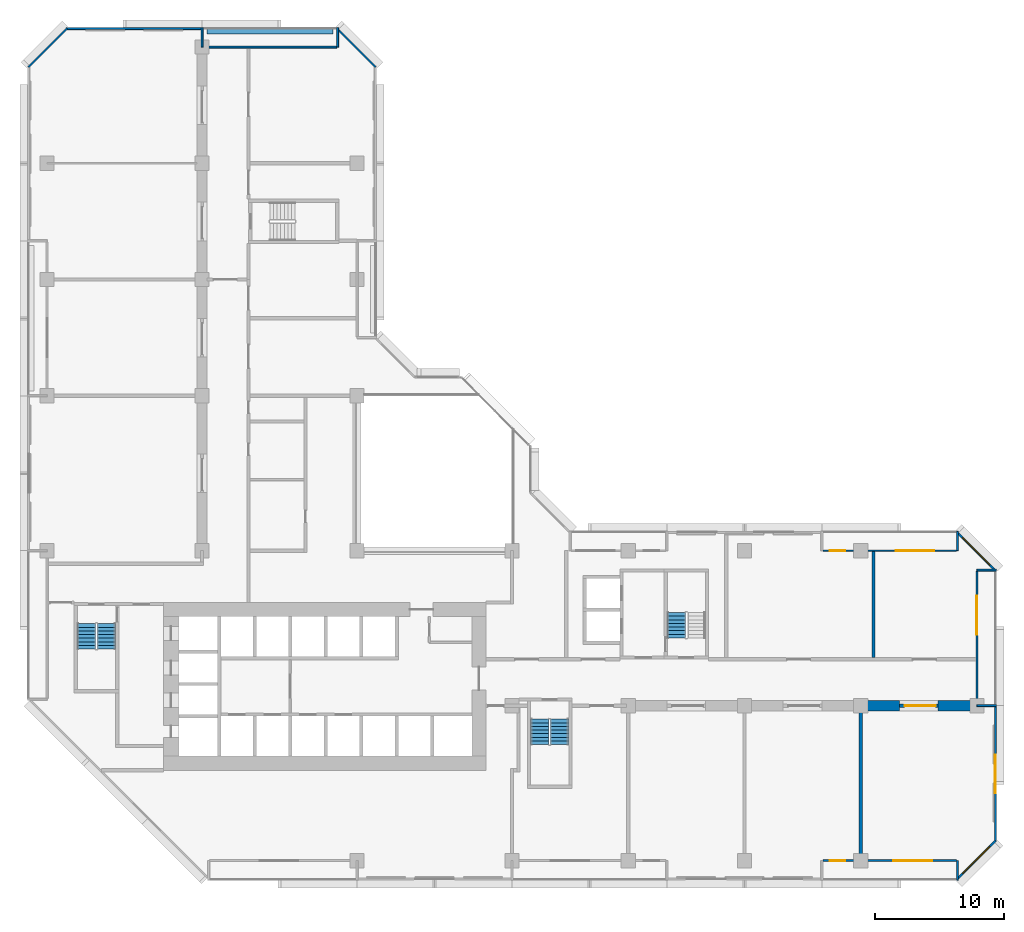
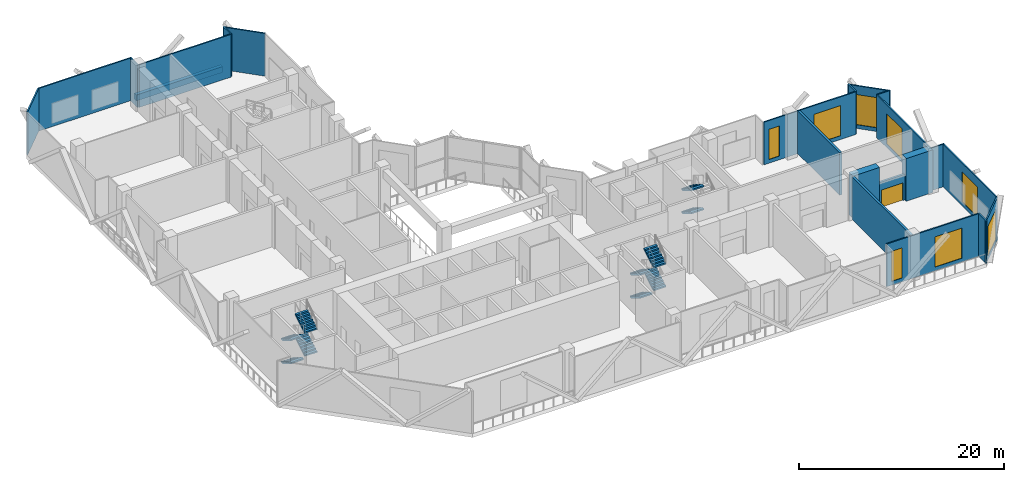
# One storey, part 10 of 14: 22 walls, 10 stair flights, 8 windows, 1 door, 9 openings, 3 elements without a shape of their own.
"""IFC4 building model written with IfcOpenShell, lengths in metres."""

import ifcopenshell
import ifcopenshell.guid

model = None  # the IFC model being written
_history = None  # IfcOwnerHistory: only IFC2X3 demands one
_inside = {}  # id of a spatial element -> (the spatial element, [elements in it])
_under = {}  # id of a project, library or spatial element -> (it, [spatial elements below it])
_declared = {}  # id of a project -> (the project, [libraries it declares])
_typed = {}  # id of a type object -> (the type object, [elements of that type])
_made_of = {}  # id of a material, layer set ... -> (it, [elements and type objects made of it])


def new_model(schema):
    """Start an empty IFC model of exactly this schema.

    Asked for "IFC4X3", IfcOpenShell would pick the latest addendum, in which some entities
    have other attributes; the version numbers below select the first issue.
    IFC2X3 requires an IfcOwnerHistory on every rooted entity: one is made here for all.
    """
    global model, _history
    if schema == "IFC4X3":
        model = ifcopenshell.file(schema_version=(4, 3, 0, 0))
    else:
        model = ifcopenshell.file(schema=schema)
    _inside.clear()
    _under.clear()
    _declared.clear()
    _typed.clear()
    _made_of.clear()
    _history = None
    if model.schema == "IFC2X3":
        org = make("IfcOrganization", Name="unknown")
        user = make(
            "IfcPersonAndOrganization",
            ThePerson=make("IfcPerson", FamilyName="unknown"),
            TheOrganization=org,
        )
        app = make(
            "IfcApplication",
            ApplicationDeveloper=org,
            Version="unknown",
            ApplicationFullName="unknown",
            ApplicationIdentifier="unknown",
        )
        _history = make(
            "IfcOwnerHistory",
            OwningUser=user,
            OwningApplication=app,
            ChangeAction="ADDED",
            CreationDate=0,
        )
    return model


def make(cls, **values):
    """One entity of the class cls with the attributes given. An attribute that is None is left unset."""
    return model.create_entity(
        cls, **{name: value for name, value in values.items() if value is not None}
    )


def rooted(cls, **values):
    """An entity with a GlobalId (a new one), such as an element, a storey or a relation."""
    return make(cls, GlobalId=ifcopenshell.guid.new(), OwnerHistory=_history, **values)


def si_unit(unit_type, name, prefix=None):
    """IfcSIUnit, for example si_unit("LENGTHUNIT", "METRE", prefix="MILLI")."""
    return make("IfcSIUnit", UnitType=unit_type, Prefix=prefix, Name=name)


def assignment(units):
    """IfcUnitAssignment: the units of a project."""
    return None if units is None else make("IfcUnitAssignment", Units=units)


def point(xyz):
    """IfcCartesianPoint."""
    return None if xyz is None else make("IfcCartesianPoint", Coordinates=xyz)


def direction(xyz):
    """IfcDirection."""
    return None if xyz is None else make("IfcDirection", DirectionRatios=xyz)


def frame(location, z_axis=None, x_axis=None):
    """IfcAxis2Placement3D, a coordinate frame: its origin and axes. An axis left out is left unset."""
    return make(
        "IfcAxis2Placement3D",
        Location=point(location),
        Axis=direction(z_axis),
        RefDirection=direction(x_axis),
    )


def frame_2d(location, x_axis=None):
    """IfcAxis2Placement2D, a coordinate frame in the plane: its origin and x axis."""
    return make(
        "IfcAxis2Placement2D", Location=point(location), RefDirection=direction(x_axis)
    )


def origin():
    """The frame at (0, 0, 0) with its axes left unset."""
    return frame((0.0, 0.0, 0.0))


def place(relative_to, where):
    """IfcLocalPlacement: puts the frame where relative to a parent placement (None: the world)."""
    return make(
        "IfcLocalPlacement", PlacementRelTo=relative_to, RelativePlacement=where
    )


def context(
    kind, dimensions, precision=None, world=None, true_north=None, identifier=None
):
    """IfcGeometricRepresentationContext, for example the 3D "Model" context."""
    return make(
        "IfcGeometricRepresentationContext",
        ContextIdentifier=identifier,
        ContextType=kind,
        CoordinateSpaceDimension=dimensions,
        Precision=precision,
        WorldCoordinateSystem=world,
        TrueNorth=true_north,
    )


def subcontext(parent, identifier, kind, view, scale=None):
    """IfcGeometricRepresentationSubContext, for example "Body" below "Model"."""
    return make(
        "IfcGeometricRepresentationSubContext",
        ContextIdentifier=identifier,
        ContextType=kind,
        ParentContext=parent,
        TargetScale=scale,
        TargetView=view,
    )


def project(units=None, contexts=None):
    """IfcProject with its units and contexts."""
    return rooted(
        "IfcProject",
        Name="project",
        RepresentationContexts=contexts,
        UnitsInContext=assignment(units),
    )


def spatial(cls, under=None, at=None, **own):
    """A site, building, storey or space (cls), placed at a placement, below another one or the project."""
    s = rooted(cls, ObjectPlacement=at, **own)
    if under is not None:
        _under.setdefault(under.id(), (under, []))[1].append(s)
    return s


def polyline(points):
    """IfcPolyline through the points."""
    return make("IfcPolyline", Points=[point(p) for p in points])


def profile(cls, at=None, kind="AREA", **sizes):
    """A parametric profile (cls). Its sizes go by their IFC names, for example OverallWidth=200.0."""
    return make(cls, ProfileType=kind, Position=at, **sizes)


def rectangle(**sizes):
    """IfcRectangleProfileDef."""
    return profile("IfcRectangleProfileDef", **sizes)


def outline(outer, holes=None, kind="AREA"):
    """IfcArbitraryClosedProfileDef: a profile drawn as a closed curve; with holes, ...WithVoids."""
    if holes is None:
        return make("IfcArbitraryClosedProfileDef", ProfileType=kind, OuterCurve=outer)
    return make(
        "IfcArbitraryProfileDefWithVoids",
        ProfileType=kind,
        OuterCurve=outer,
        InnerCurves=holes,
    )


def extrude(swept, where, along, depth):
    """IfcExtrudedAreaSolid: the profile swept, set in the frame where, extruded along a direction by depth."""
    return make(
        "IfcExtrudedAreaSolid",
        SweptArea=swept,
        Position=where,
        ExtrudedDirection=direction(along),
        Depth=depth,
    )


def shape(context_of_items, identifier, shape_type, items):
    """IfcShapeRepresentation: the items that make up one representation, for example the "Body"."""
    return make(
        "IfcShapeRepresentation",
        ContextOfItems=context_of_items,
        RepresentationIdentifier=identifier,
        RepresentationType=shape_type,
        Items=items,
    )


def material(Name=None, Category=None):
    """IfcMaterial."""
    return make("IfcMaterial", Name=Name, Category=Category)


def layer(
    of_material, thickness, ventilated=None, Name=None, Category=None, Priority=None
):
    """IfcMaterialLayer: one layer of a wall or slab, of a material (None: an air gap)."""
    return make(
        "IfcMaterialLayer",
        Material=of_material,
        LayerThickness=thickness,
        IsVentilated=ventilated,
        Name=Name,
        Category=Category,
        Priority=Priority,
    )


def layer_set(layers, Name=None):
    """IfcMaterialLayerSet."""
    return make("IfcMaterialLayerSet", MaterialLayers=layers, LayerSetName=Name)


def made_of(thing, what):
    """Note that an element or type object is made of a material, layer set ...; save() writes the relation."""
    if what is not None:
        _made_of.setdefault(what.id(), (what, []))[1].append(thing)
    return thing


def type_object(cls, material=None, **own):
    """A type object (cls), such as IfcWallType, which elements share."""
    return made_of(rooted(cls, **own), material)


def element(
    cls,
    number,
    at=None,
    inside=None,
    cuts=None,
    type_object=None,
    material=None,
    context=None,
    identifier="Body",
    shape_type=None,
    held_by="IfcProductDefinitionShape",
    body=None,
    shapes=None,
    **own,
):
    """One element of the class cls, such as IfcWall. Its Tag is "e" and its number.

    at: its placement. inside: the storey or other place that contains it. cuts: it is an
    opening in that element (IfcRelVoidsElement). A single representation is given by context,
    identifier, shape_type and body (its items); several are given by shapes. held_by: the class
    of the entity that holds the representations. save() writes the other relations.
    """
    e = rooted(cls, Tag="e%d" % number, ObjectPlacement=at, **own)
    if body is not None:
        shapes = [shape(context, identifier, shape_type, body)]
    if shapes is not None:
        e.Representation = make(held_by, Representations=shapes)
    if inside is not None:
        _inside.setdefault(inside.id(), (inside, []))[1].append(e)
    if cuts is not None:
        rooted(
            "IfcRelVoidsElement", RelatingBuildingElement=cuts, RelatedOpeningElement=e
        )
    if type_object is not None:
        _typed.setdefault(type_object.id(), (type_object, []))[1].append(e)
    return made_of(e, material)


def fill(opening, filler):
    """IfcRelFillsElement: the door or window that sits in an opening."""
    return rooted(
        "IfcRelFillsElement",
        RelatingOpeningElement=opening,
        RelatedBuildingElement=filler,
    )


def aggregate(whole, parts):
    """IfcRelAggregates: a whole, such as a stair, and the parts it consists of."""
    return rooted("IfcRelAggregates", RelatingObject=whole, RelatedObjects=parts)


def save(model, path):
    """Write the relations noted so far, then the file.

    IfcRelAggregates (storeys below a building ...), IfcRelContainedInSpatialStructure (elements
    in a storey), IfcRelDefinesByType, IfcRelAssociatesMaterial and IfcRelDeclares: one each for
    every whole, place, type object, material and project.
    """
    for whole, parts in _under.values():
        aggregate(whole, parts)
    for where, things in _inside.values():
        rooted(
            "IfcRelContainedInSpatialStructure",
            RelatedElements=things,
            RelatingStructure=where,
        )
    for kind, things in _typed.values():
        rooted("IfcRelDefinesByType", RelatedObjects=things, RelatingType=kind)
    for what, things in _made_of.values():
        rooted("IfcRelAssociatesMaterial", RelatedObjects=things, RelatingMaterial=what)
    for by, libraries in _declared.values():
        rooted("IfcRelDeclares", RelatingContext=by, RelatedDefinitions=libraries)
    model.write(path)


model = new_model("IFC4")

# Units and contexts
model_context = context("Model", 3, precision=1e-05, world=origin(), true_north=direction((0.0, 1.0)))
body_context = subcontext(model_context, "Body", "Model", "MODEL_VIEW")
ifc_project = project(units=[si_unit("LENGTHUNIT", "METRE"), si_unit("AREAUNIT", "SQUARE_METRE"), si_unit("VOLUMEUNIT", "CUBIC_METRE"), si_unit("PLANEANGLEUNIT", "RADIAN"), si_unit("MASSUNIT", "GRAM", prefix="KILO")], contexts=[model_context])

# Site, building, storey
site_placement = place(None, origin())
site = spatial("IfcSite", under=ifc_project, at=site_placement, CompositionType="ELEMENT")
building_placement = place(site_placement, origin())
building = spatial("IfcBuilding", under=site, at=building_placement, Name="Chenar Terraces", CompositionType="ELEMENT")
storey_placement = place(building_placement, frame((0.0, 0.0, 86.39990234375)))
storey = spatial("IfcBuildingStorey", under=building, at=storey_placement, Name="L19", CompositionType="ELEMENT", Elevation=86.39990234375)

# Walls
ifc_material_1 = material(Name="Concrete C70/85", Category="concrete")
ifc_layer_1 = layer(ifc_material_1, 0.800048828125)
ifc_layer_set_1 = layer_set([ifc_layer_1], Name="Concrete C70/85")
wall_type_1 = type_object("IfcWallType", Name="Belt wall 800 Concrete C70/85", PredefinedType="SHEAR", material=ifc_layer_set_1)
wall_1_placement = place(storey_placement, frame((63.0, 12.0, 0.0), z_axis=(0.0, 0.0, 1.0), x_axis=(1.0, 0.0, 0.0)))
element("IfcWall", 1, at=wall_1_placement, inside=storey, type_object=wall_type_1, Name="Belt wall L19 A3", PredefinedType="SHEAR", context=body_context, shape_type="SweptSolid", body=[
    extrude(rectangle(XDim=3.0, YDim=0.800048828125, at=frame_2d((1.5, 0.0))), origin(), (0.0, 0.0, 1.0), 5.10009765625),
])
wall_2_placement = place(storey_placement, frame((69.0, 12.0, 0.0), z_axis=(0.0, 0.0, 1.0), x_axis=(1.0, 0.0, 0.0)))
element("IfcWall", 2, at=wall_2_placement, inside=storey, type_object=wall_type_1, Name="Belt wall L19 A3", PredefinedType="SHEAR", context=body_context, shape_type="SweptSolid", body=[
    extrude(rectangle(XDim=3.0, YDim=0.800048828125, at=frame_2d((1.5, 0.0))), origin(), (0.0, 0.0, 1.0), 5.10009765625),
])
ifc_material_2 = material(Name="Aluminium framed glazing", Category="aluminium")
ifc_layer_2 = layer(ifc_material_2, 0.14990234375)
ifc_layer_set_2 = layer_set([ifc_layer_2], Name="Aluminium framed glazing")
wall_type_2 = type_object("IfcWallType", Name="Glazed flush facade wall 150", PredefinedType="SOLIDWALL", material=ifc_layer_set_2)
wall_3_placement = place(storey_placement, frame((11.925048828125, 64.425048828125, 0.0), z_axis=(0.0, 0.0, 1.0), x_axis=(-1.0, 0.0, 0.0)))
element("IfcWall", 3, at=wall_3_placement, inside=storey, type_object=wall_type_2, Name="Glazed flush facade wall", PredefinedType="SOLIDWALL", context=body_context, shape_type="SweptSolid", body=[
    extrude(rectangle(XDim=10.425048828125, YDim=0.14990234375, at=frame_2d((5.21240234375, 0.0))), origin(), (0.0, 0.0, 1.0), 5.10009765625),
])

# Wall, opening, window
wall_4_placement = place(storey_placement, frame((73.425048828125, 1.5, 0.0), z_axis=(0.0, 0.0, 1.0), x_axis=(0.0, 1.0, 0.0)))
wall_4 = element("IfcWall", 4, at=wall_4_placement, inside=storey, type_object=wall_type_2, Name="Glazed flush facade wall", PredefinedType="SOLIDWALL", context=body_context, shape_type="SweptSolid", body=[
    extrude(rectangle(XDim=10.425048828125, YDim=0.14990234375, at=frame_2d((5.21240234375, 0.0))), origin(), (0.0, 0.0, 1.0), 5.10009765625),
])
opening_1_placement = place(wall_4_placement, frame((3.71240234375, 0.0, 0.449951171875)))
opening_1 = element("IfcOpeningElement", 5, at=opening_1_placement, cuts=wall_4, Name="Opening W300x360", PredefinedType="OPENING", context=body_context, shape_type="SweptSolid", body=[
    extrude(rectangle(XDim=3.0, YDim=3.60009765625, at=frame_2d((1.5, 1.800048828125))), frame((0.0, 0.0849609375, 0.0), z_axis=(0.0, -1.0, 0.0), x_axis=(1.0, 0.0, 0.0)), (0.0, 0.0, 1.0), 0.169921875),
])
ifc_material_3 = material(Name="Low emissivity double glazing, aluminium frame", Category="aluminium")
window_type_1 = type_object("IfcWindowType", Name="Fixed light 3000 x 3600", PartitioningType="SINGLE_PANEL", PredefinedType="WINDOW", material=ifc_material_3)
window_1_placement = place(opening_1_placement, origin())
window_1 = element("IfcWindow", 6, at=window_1_placement, inside=storey, type_object=window_type_1, Name="Window", OverallHeight=3.60009765625, OverallWidth=3.0, PartitioningType="SINGLE_PANEL", PredefinedType="WINDOW", context=body_context, shape_type="SweptSolid", body=[
    extrude(rectangle(XDim=3.0, YDim=3.60009765625, at=frame_2d((1.5, 1.800048828125))), frame((0.0, 0.030029296875, 0.0), z_axis=(0.0, -1.0, 0.0), x_axis=(1.0, 0.0, 0.0)), (0.0, 0.0, 1.0), 0.06005859375),
])
fill(opening_1, window_1)

# Wall, openings, windows
ifc_material_4 = material(Name="Aluminium framed glazing", Category="aluminium")
ifc_layer_3 = layer(ifc_material_4, 0.14990234375)
ifc_layer_set_3 = layer_set([ifc_layer_3], Name="Aluminium framed glazing")
wall_type_3 = type_object("IfcWallType", Name="Glazed loggia back wall 150", PredefinedType="SOLIDWALL", material=ifc_layer_set_3)
wall_5_placement = place(storey_placement, frame((70.425048828125, 24.0, 0.0), z_axis=(0.0, 0.0, 1.0), x_axis=(-1.0, 0.0, 0.0)))
wall_5 = element("IfcWall", 7, at=wall_5_placement, inside=storey, type_object=wall_type_3, Name="Glazed loggia back wall", PredefinedType="SOLIDWALL", context=body_context, shape_type="SweptSolid", body=[
    extrude(rectangle(XDim=10.35009765625, YDim=0.14990234375, at=frame_2d((5.175048828125, 0.0))), origin(), (0.0, 0.0, 1.0), 5.10009765625),
])
opening_2_placement = place(wall_5_placement, frame((1.71240234375, 0.0, 0.449951171875)))
opening_2 = element("IfcOpeningElement", 8, at=opening_2_placement, cuts=wall_5, Name="Opening W300x360", PredefinedType="OPENING", context=body_context, shape_type="SweptSolid", body=[
    extrude(rectangle(XDim=3.0, YDim=3.60009765625, at=frame_2d((1.5, 1.800048828125))), frame((0.0, 0.0849609375, 0.0), z_axis=(0.0, -1.0, 0.0), x_axis=(1.0, 0.0, 0.0)), (0.0, 0.0, 1.0), 0.169921875),
])
opening_3_placement = place(wall_5_placement, frame((8.612548828125, 0.0, 0.449951171875)))
opening_3 = element("IfcOpeningElement", 9, at=opening_3_placement, cuts=wall_5, Name="Opening W120x360", PredefinedType="OPENING", context=body_context, shape_type="SweptSolid", body=[
    extrude(rectangle(XDim=1.199951171875, YDim=3.60009765625, at=frame_2d((0.60009765625, 1.800048828125))), frame((0.0, 0.0849609375, 0.0), z_axis=(0.0, -1.0, 0.0), x_axis=(1.0, 0.0, 0.0)), (0.0, 0.0, 1.0), 0.169921875),
])
ifc_material_5 = material(Name="Low emissivity double glazing, aluminium frame", Category="aluminium")
window_type_2 = type_object("IfcWindowType", Name="Fixed light 1200 x 3600", PartitioningType="SINGLE_PANEL", PredefinedType="WINDOW", material=ifc_material_5)
window_2_placement = place(opening_3_placement, origin())
window_2 = element("IfcWindow", 10, at=window_2_placement, inside=storey, type_object=window_type_2, Name="Window", OverallHeight=3.60009765625, OverallWidth=1.199951171875, PartitioningType="SINGLE_PANEL", PredefinedType="WINDOW", context=body_context, shape_type="SweptSolid", body=[
    extrude(rectangle(XDim=1.199951171875, YDim=3.60009765625, at=frame_2d((0.60009765625, 1.800048828125))), frame((0.0, 0.030029296875, 0.0), z_axis=(0.0, -1.0, 0.0), x_axis=(1.0, 0.0, 0.0)), (0.0, 0.0, 1.0), 0.06005859375),
])
fill(opening_3, window_2)
window_3_placement = place(opening_2_placement, origin())
window_3 = element("IfcWindow", 11, at=window_3_placement, inside=storey, type_object=window_type_1, Name="Window", OverallHeight=3.60009765625, OverallWidth=3.0, PartitioningType="SINGLE_PANEL", PredefinedType="WINDOW", context=body_context, shape_type="SweptSolid", body=[
    extrude(rectangle(XDim=3.0, YDim=3.60009765625, at=frame_2d((1.5, 1.800048828125))), frame((0.0, 0.030029296875, 0.0), z_axis=(0.0, -1.0, 0.0), x_axis=(1.0, 0.0, 0.0)), (0.0, 0.0, 1.0), 0.06005859375),
])
fill(opening_2, window_3)

# Wall
wall_6_placement = place(storey_placement, frame((22.425048828125, 63.0, 0.0), z_axis=(0.0, 0.0, 1.0), x_axis=(-1.0, 0.0, 0.0)))
element("IfcWall", 12, at=wall_6_placement, inside=storey, type_object=wall_type_3, Name="Glazed loggia back wall", PredefinedType="SOLIDWALL", context=body_context, shape_type="SweptSolid", body=[
    extrude(rectangle(XDim=10.35009765625, YDim=0.14990234375, at=frame_2d((5.175048828125, 0.0))), origin(), (0.0, 0.0, 1.0), 5.10009765625),
])

# Wall, openings, windows
wall_7_placement = place(storey_placement, frame((60.074951171875, 0.0, 0.0), z_axis=(0.0, 0.0, 1.0), x_axis=(1.0, 0.0, 0.0)))
wall_7 = element("IfcWall", 13, at=wall_7_placement, inside=storey, type_object=wall_type_3, Name="Glazed loggia back wall", PredefinedType="SOLIDWALL", context=body_context, shape_type="SweptSolid", body=[
    extrude(rectangle(XDim=10.35009765625, YDim=0.14990234375, at=frame_2d((5.175048828125, 0.0))), origin(), (0.0, 0.0, 1.0), 5.10009765625),
])
opening_4_placement = place(wall_7_placement, frame((0.53759765625, 0.0, 0.449951171875)))
opening_4 = element("IfcOpeningElement", 14, at=opening_4_placement, cuts=wall_7, Name="Opening W120x360", PredefinedType="OPENING", context=body_context, shape_type="SweptSolid", body=[
    extrude(rectangle(XDim=1.199951171875, YDim=3.60009765625, at=frame_2d((0.60009765625, 1.800048828125))), frame((0.0, 0.0849609375, 0.0), z_axis=(0.0, -1.0, 0.0), x_axis=(1.0, 0.0, 0.0)), (0.0, 0.0, 1.0), 0.169921875),
])
opening_5_placement = place(wall_7_placement, frame((5.46240234375, 0.0, 0.449951171875)))
opening_5 = element("IfcOpeningElement", 15, at=opening_5_placement, cuts=wall_7, Name="Opening W300x360", PredefinedType="OPENING", context=body_context, shape_type="SweptSolid", body=[
    extrude(rectangle(XDim=3.0, YDim=3.60009765625, at=frame_2d((1.5, 1.800048828125))), frame((0.0, 0.0849609375, 0.0), z_axis=(0.0, -1.0, 0.0), x_axis=(1.0, 0.0, 0.0)), (0.0, 0.0, 1.0), 0.169921875),
])
window_4_placement = place(opening_4_placement, origin())
window_4 = element("IfcWindow", 16, at=window_4_placement, inside=storey, type_object=window_type_2, Name="Window", OverallHeight=3.60009765625, OverallWidth=1.199951171875, PartitioningType="SINGLE_PANEL", PredefinedType="WINDOW", context=body_context, shape_type="SweptSolid", body=[
    extrude(rectangle(XDim=1.199951171875, YDim=3.60009765625, at=frame_2d((0.60009765625, 1.800048828125))), frame((0.0, 0.030029296875, 0.0), z_axis=(0.0, -1.0, 0.0), x_axis=(1.0, 0.0, 0.0)), (0.0, 0.0, 1.0), 0.06005859375),
])
fill(opening_4, window_4)
window_5_placement = place(opening_5_placement, origin())
window_5 = element("IfcWindow", 17, at=window_5_placement, inside=storey, type_object=window_type_1, Name="Window", OverallHeight=3.60009765625, OverallWidth=3.0, PartitioningType="SINGLE_PANEL", PredefinedType="WINDOW", context=body_context, shape_type="SweptSolid", body=[
    extrude(rectangle(XDim=3.0, YDim=3.60009765625, at=frame_2d((1.5, 1.800048828125))), frame((0.0, 0.030029296875, 0.0), z_axis=(0.0, -1.0, 0.0), x_axis=(1.0, 0.0, 0.0)), (0.0, 0.0, 1.0), 0.06005859375),
])
fill(opening_5, window_5)

# Wall, opening, window
wall_8_placement = place(storey_placement, frame((72.0, 12.074951171875, 0.0), z_axis=(0.0, 0.0, 1.0), x_axis=(0.0, 1.0, 0.0)))
wall_8 = element("IfcWall", 18, at=wall_8_placement, inside=storey, type_object=wall_type_3, Name="Glazed loggia back wall", PredefinedType="SOLIDWALL", context=body_context, shape_type="SweptSolid", body=[
    extrude(rectangle(XDim=10.35009765625, YDim=0.14990234375, at=frame_2d((5.175048828125, 0.0))), origin(), (0.0, 0.0, 1.0), 5.10009765625),
])
opening_6_placement = place(wall_8_placement, frame((5.4375, 0.0, 0.449951171875)))
opening_6 = element("IfcOpeningElement", 19, at=opening_6_placement, cuts=wall_8, Name="Opening W300x360", PredefinedType="OPENING", context=body_context, shape_type="SweptSolid", body=[
    extrude(rectangle(XDim=3.0, YDim=3.60009765625, at=frame_2d((1.5, 1.800048828125))), frame((0.0, 0.0849609375, 0.0), z_axis=(0.0, -1.0, 0.0), x_axis=(1.0, 0.0, 0.0)), (0.0, 0.0, 1.0), 0.169921875),
])
window_6_placement = place(opening_6_placement, origin())
window_6 = element("IfcWindow", 20, at=window_6_placement, inside=storey, type_object=window_type_1, Name="Window", OverallHeight=3.60009765625, OverallWidth=3.0, PartitioningType="SINGLE_PANEL", PredefinedType="WINDOW", context=body_context, shape_type="SweptSolid", body=[
    extrude(rectangle(XDim=3.0, YDim=3.60009765625, at=frame_2d((1.5, 1.800048828125))), frame((0.0, 0.030029296875, 0.0), z_axis=(0.0, -1.0, 0.0), x_axis=(1.0, 0.0, 0.0)), (0.0, 0.0, 1.0), 0.06005859375),
])
fill(opening_6, window_6)

# Walls
ifc_material_6 = material(Name="Terracotta cladding on insulated backing", Category="masonry")
ifc_layer_4 = layer(ifc_material_6, 0.14990234375)
ifc_layer_set_4 = layer_set([ifc_layer_4], Name="Terracotta cladding on insulated backing")
wall_type_4 = type_object("IfcWallType", Name="Loggia return wall 150", PredefinedType="SOLIDWALL", material=ifc_layer_set_4)
for number, where, z_axis, x_axis, name in (
    (21, (70.5, 25.5, 0.0), (0.0, 0.0, 1.0), (0.0, -1.0, 0.0), "Loggia return wall"),
    (22, (22.5, 64.5, 0.0), (0.0, 0.0, 1.0), (0.0, -1.0, 0.0), "Loggia return wall"),
    (23, (12.0, 64.5, 0.0), (0.0, 0.0, 1.0), (0.0, -1.0, 0.0), "Loggia return wall"),
    (24, (70.5, -1.5, 0.0), (0.0, 0.0, 1.0), (0.0, 1.0, 0.0), "Loggia return wall"),
    (25, (73.5, 12.0, 0.0), (0.0, 0.0, 1.0), (-1.0, 0.0, 0.0), "Loggia return wall"),
    (26, (73.5, 22.5, 0.0), (0.0, 0.0, 1.0), (-1.0, 0.0, 0.0), "Loggia return wall"),
):
    element("IfcWall", number, at=place(storey_placement, frame(where, z_axis=z_axis, x_axis=x_axis)), inside=storey, type_object=wall_type_4, Name=name, PredefinedType="SOLIDWALL", context=body_context, shape_type="SweptSolid", body=[
        extrude(rectangle(XDim=1.5, YDim=0.14990234375, at=frame_2d((0.75, 0.0))), origin(), (0.0, 0.0, 1.0), 5.10009765625),
    ])
ifc_material_7 = material(Name="Fire-board and steel stud wall with mineral wool", Category="steel")
ifc_layer_5 = layer(ifc_material_7, 0.25)
ifc_layer_set_5 = layer_set([ifc_layer_5], Name="Fire-board and steel stud wall with mineral wool")
wall_type_5 = type_object("IfcWallType", Name="Refuge compartment wall 250", PredefinedType="PARTITIONING", material=ifc_layer_set_5)
wall_9_placement = place(storey_placement, frame((63.0, 0.073974609375, 0.0), z_axis=(0.0, 0.0, 1.0), x_axis=(0.0, 1.0, 0.0)))
element("IfcWall", 27, at=wall_9_placement, inside=storey, type_object=wall_type_5, Name="Partition L19-039", PredefinedType="PARTITIONING", context=body_context, shape_type="SweptSolid", body=[
    extrude(rectangle(XDim=11.527099609375, YDim=0.25, at=frame_2d((5.763671875, 0.0))), origin(), (0.0, 0.0, 1.0), 5.10009765625),
])
wall_10_placement = place(storey_placement, frame((64.0, 15.72509765625, 0.0), z_axis=(0.0, 0.0, 1.0), x_axis=(0.0, 1.0, 0.0)))
element("IfcWall", 28, at=wall_10_placement, inside=storey, type_object=wall_type_5, Name="Partition L19-040", PredefinedType="PARTITIONING", context=body_context, shape_type="SweptSolid", body=[
    extrude(rectangle(XDim=8.200927734375, YDim=0.25, at=frame_2d((4.1005859375, 0.0))), origin(), (0.0, 0.0, 1.0), 5.10009765625),
])

# Wall, opening, door
wall_11_placement = place(storey_placement, frame((65.9990234375, 12.0, 0.0), z_axis=(0.0, 0.0, 1.0), x_axis=(1.0, 0.0, 0.0)))
wall_11 = element("IfcWall", 29, at=wall_11_placement, inside=storey, type_object=wall_type_5, Name="Partition L19-041", PredefinedType="PARTITIONING", context=body_context, shape_type="SweptSolid", body=[
    extrude(rectangle(XDim=3.001953125, YDim=0.25, at=frame_2d((1.5009765625, 0.0))), origin(), (0.0, 0.0, 1.0), 3.050048828125),
])
opening_7_placement = place(wall_11_placement, frame((0.40087890625, 0.0, 0.0)))
opening_7 = element("IfcOpeningElement", 30, at=opening_7_placement, cuts=wall_11, Name="Opening DL19-8", PredefinedType="OPENING", context=body_context, shape_type="SweptSolid", body=[
    extrude(rectangle(XDim=2.39990234375, YDim=2.10009765625, at=frame_2d((1.199951171875, 1.050048828125))), frame((0.0, 0.135009765625, 0.0), z_axis=(0.0, -1.0, 0.0), x_axis=(1.0, 0.0, 0.0)), (0.0, 0.0, 1.0), 0.27001953125),
])
ifc_material_8 = material(Name="Steel-framed fire-resisting door leaf", Category="steel")
door_type = type_object("IfcDoorType", Name="Fire double door FD120 2400 x 2100", OperationType="DOUBLE_DOOR_SINGLE_SWING", PredefinedType="DOOR", material=ifc_material_8)
door_placement = place(opening_7_placement, frame((2.39990234375, 0.0, 0.0), z_axis=(0.0, 0.0, 1.0), x_axis=(-1.0, 0.0, 0.0)))
door = element("IfcDoor", 31, at=door_placement, inside=storey, type_object=door_type, Name="Door DL19-8", OperationType="DOUBLE_DOOR_SINGLE_SWING", OverallHeight=2.10009765625, OverallWidth=2.39990234375, PredefinedType="DOOR", context=body_context, shape_type="SweptSolid", body=[
    extrude(rectangle(XDim=2.39990234375, YDim=2.10009765625, at=frame_2d((1.199951171875, 1.050048828125))), frame((0.0, 0.02490234375, 0.0), z_axis=(0.0, -1.0, 0.0), x_axis=(1.0, 0.0, 0.0)), (0.0, 0.0, 1.0), 0.050048828125),
])
fill(opening_7, door)

# Walls
ifc_material_9 = material(Name="Terracotta cladding on insulated backing", Category="masonry")
ifc_layer_6 = layer(ifc_material_9, 0.14990234375)
ifc_layer_set_6 = layer_set([ifc_layer_6], Name="Terracotta cladding on insulated backing")
wall_type_6 = type_object("IfcWallType", Name="Terracotta rainscreen wall 150", PredefinedType="SOLIDWALL", material=ifc_layer_set_6)
for number, where, z_axis, x_axis, name in (
    (32, (25.447021484375, 61.447021484375, 0.0), (0.0, 0.0, 1.0), (-0.707106781187, 0.707106781187, 0.0), "Terracotta rainscreen wall"),
    (33, (1.552978515625, 64.447021484375, 0.0), (0.0, 0.0, 1.0), (-0.707106781187, -0.707106781187, 0.0), "Terracotta rainscreen wall"),
):
    element("IfcWall", number, at=place(storey_placement, frame(where, z_axis=z_axis, x_axis=x_axis)), inside=storey, type_object=wall_type_6, Name=name, PredefinedType="SOLIDWALL", context=body_context, shape_type="SweptSolid", body=[
        extrude(rectangle(XDim=4.24267578125, YDim=0.14990234375, at=frame_2d((2.121337890625, 0.0))), origin(), (0.0, 0.0, 1.0), 5.10009765625),
    ])

# Wall, opening, window
wall_12_placement = place(storey_placement, frame((70.447021484375, -1.447021484375, 0.0), z_axis=(0.0, 0.0, 1.0), x_axis=(0.707106781187, 0.707106781187, 0.0)))
wall_12 = element("IfcWall", 34, at=wall_12_placement, inside=storey, type_object=wall_type_6, Name="Terracotta rainscreen wall", PredefinedType="SOLIDWALL", context=body_context, shape_type="SweptSolid", body=[
    extrude(rectangle(XDim=4.24267578125, YDim=0.14990234375, at=frame_2d((2.121337890625, 0.0))), origin(), (0.0, 0.0, 1.0), 5.10009765625),
])
opening_8_placement = place(wall_12_placement, frame((0.621337890625, 0.0, 0.449951171875)))
opening_8 = element("IfcOpeningElement", 35, at=opening_8_placement, cuts=wall_12, Name="Opening W300x360", PredefinedType="OPENING", context=body_context, shape_type="SweptSolid", body=[
    extrude(rectangle(XDim=3.0, YDim=3.60009765625, at=frame_2d((1.5, 1.800048828125))), frame((0.0, 0.0849609375, 0.0), z_axis=(0.0, -1.0, 0.0), x_axis=(1.0, 0.0, 0.0)), (0.0, 0.0, 1.0), 0.169921875),
])
window_7_placement = place(opening_8_placement, origin())
window_7 = element("IfcWindow", 36, at=window_7_placement, inside=storey, type_object=window_type_1, Name="Window", OverallHeight=3.60009765625, OverallWidth=3.0, PartitioningType="SINGLE_PANEL", PredefinedType="WINDOW", context=body_context, shape_type="SweptSolid", body=[
    extrude(rectangle(XDim=3.0, YDim=3.60009765625, at=frame_2d((1.5, 1.800048828125))), frame((0.0, 0.030029296875, 0.0), z_axis=(0.0, -1.0, 0.0), x_axis=(1.0, 0.0, 0.0)), (0.0, 0.0, 1.0), 0.06005859375),
])
fill(opening_8, window_7)

wall_13_placement = place(storey_placement, frame((73.447021484375, 22.447021484375, 0.0), z_axis=(0.0, 0.0, 1.0), x_axis=(-0.707106781187, 0.707106781187, 0.0)))
wall_13 = element("IfcWall", 37, at=wall_13_placement, inside=storey, type_object=wall_type_6, Name="Terracotta rainscreen wall", PredefinedType="SOLIDWALL", context=body_context, shape_type="SweptSolid", body=[
    extrude(rectangle(XDim=4.24267578125, YDim=0.14990234375, at=frame_2d((2.121337890625, 0.0))), origin(), (0.0, 0.0, 1.0), 5.10009765625),
])
opening_9_placement = place(wall_13_placement, frame((0.621337890625, 0.0, 0.449951171875)))
opening_9 = element("IfcOpeningElement", 38, at=opening_9_placement, cuts=wall_13, Name="Opening W300x360", PredefinedType="OPENING", context=body_context, shape_type="SweptSolid", body=[
    extrude(rectangle(XDim=3.0, YDim=3.60009765625, at=frame_2d((1.5, 1.800048828125))), frame((0.0, 0.0849609375, 0.0), z_axis=(0.0, -1.0, 0.0), x_axis=(1.0, 0.0, 0.0)), (0.0, 0.0, 1.0), 0.169921875),
])
window_8_placement = place(opening_9_placement, origin())
window_8 = element("IfcWindow", 39, at=window_8_placement, inside=storey, type_object=window_type_1, Name="Window", OverallHeight=3.60009765625, OverallWidth=3.0, PartitioningType="SINGLE_PANEL", PredefinedType="WINDOW", context=body_context, shape_type="SweptSolid", body=[
    extrude(rectangle(XDim=3.0, YDim=3.60009765625, at=frame_2d((1.5, 1.800048828125))), frame((0.0, 0.030029296875, 0.0), z_axis=(0.0, -1.0, 0.0), x_axis=(1.0, 0.0, 0.0)), (0.0, 0.0, 1.0), 0.06005859375),
])
fill(opening_9, window_8)

# Wall
ifc_material_10 = material(Name="GRP planter trough")
ifc_layer_7 = layer(ifc_material_10, 0.39990234375)
ifc_layer_set_7 = layer_set([ifc_layer_7], Name="GRP planter trough")
wall_type_7 = type_object("IfcWallType", Name="Vertical greenery planter 400", PredefinedType="SOLIDWALL", material=ifc_layer_set_7)
wall_14_placement = place(storey_placement, frame((22.125, 64.22900390625, 0.0), z_axis=(0.0, 0.0, 1.0), x_axis=(-1.0, 0.0, 0.0)))
element("IfcWall", 40, at=wall_14_placement, inside=storey, type_object=wall_type_7, Name="Vertical greenery planter", PredefinedType="SOLIDWALL", context=body_context, shape_type="SweptSolid", body=[
    extrude(rectangle(XDim=9.75, YDim=0.39990234375, at=frame_2d((4.875, 0.0))), origin(), (0.0, 0.0, 1.0), 0.7001953125),
])

# Stair, stair flights
ifc_material_11 = material(Name="Reinforced concrete C40/50", Category="concrete")
stair_type = type_object("IfcStairType", Name="Core stair 1400 half-turn", PredefinedType="HALF_TURN_STAIR", material=ifc_material_11)
placement = place(storey_placement, origin())
stair_1 = element("IfcStair", 41, at=placement, inside=storey, type_object=stair_type, Name="L19 Stair 1", PredefinedType="HALF_TURN_STAIR")
ifc_material_12 = material(Name="Reinforced concrete C40/50", Category="concrete")
stair_flight_type = type_object("IfcStairFlightType", Name="Core stair flight 1400", PredefinedType="STRAIGHT", material=ifc_material_12)
stair_flight_1_placement = place(storey_placement, frame((3.050048828125, 18.35009765625, 0.0), z_axis=(0.0, 0.0, 1.0), x_axis=(0.0, -1.0, 0.0)))
stair_flight_1 = element("IfcStairFlight", 42, at=stair_flight_1_placement, type_object=stair_flight_type, Name="ST1 flight 1", NumberOfRisers=8, NumberOfTreads=7, PredefinedType="STRAIGHT", RiserHeight=0.171875, TreadLength=0.28, context=body_context, shape_type="SweptSolid", body=[
    extrude(outline(polyline([(-0.0029296875, 0.0), (-0.0029296875, 0.171875), (0.0, 0.171875), (0.280029296875, 0.171875), (0.280029296875, 0.34375), (0.56005859375, 0.34375), (0.56005859375, 0.515625), (0.840087890625, 0.515625), (0.840087890625, 0.6875), (1.1201171875, 0.6875), (1.1201171875, 0.859375), (1.39990234375, 0.859375), (1.39990234375, 1.03125), (1.679931640625, 1.03125), (1.679931640625, 1.203125), (1.9599609375, 1.203125), (1.962890625, 1.203125), (1.962890625, 1.02734375), (1.9599609375, 1.02734375), (0.28662109375, 0.0), (-0.0029296875, 0.0)])), frame((0.0, 0.699951171875, 0.0), z_axis=(0.0, -1.0, 0.0), x_axis=(1.0, 0.0, 0.0)), (0.0, 0.0, 1.0), 1.39990234375),
])
stair_flight_2_placement = place(storey_placement, frame((4.60009765625, 16.389892578125, 1.375), z_axis=(0.0, 0.0, 1.0), x_axis=(0.0, 1.0, 0.0)))
stair_flight_2 = element("IfcStairFlight", 43, at=stair_flight_2_placement, type_object=stair_flight_type, Name="ST1 flight 2", NumberOfRisers=8, NumberOfTreads=7, PredefinedType="STRAIGHT", RiserHeight=0.171875, TreadLength=0.28, context=body_context, shape_type="SweptSolid", body=[
    extrude(outline(polyline([(-0.0029296875, 0.0), (-0.0029296875, 0.171875), (0.0, 0.171875), (0.280029296875, 0.171875), (0.280029296875, 0.34375), (0.56005859375, 0.34375), (0.56005859375, 0.515625), (0.840087890625, 0.515625), (0.840087890625, 0.6875), (1.1201171875, 0.6875), (1.1201171875, 0.859375), (1.39990234375, 0.859375), (1.39990234375, 1.03125), (1.679931640625, 1.03125), (1.679931640625, 1.203125), (1.9599609375, 1.203125), (1.962890625, 1.203125), (1.962890625, 1.02734375), (1.9599609375, 1.02734375), (0.28662109375, 0.0), (-0.0029296875, 0.0)])), frame((0.0, 0.699951171875, 0.0), z_axis=(0.0, -1.0, 0.0), x_axis=(1.0, 0.0, 0.0)), (0.0, 0.0, 1.0), 1.39990234375),
])
stair_flight_3_placement = place(storey_placement, frame((3.050048828125, 18.35009765625, 2.75), z_axis=(0.0, 0.0, 1.0), x_axis=(0.0, -1.0, 0.0)))
stair_flight_3 = element("IfcStairFlight", 44, at=stair_flight_3_placement, type_object=stair_flight_type, Name="ST1 flight 3", NumberOfRisers=8, NumberOfTreads=7, PredefinedType="STRAIGHT", RiserHeight=0.171875, TreadLength=0.28, context=body_context, shape_type="SweptSolid", body=[
    extrude(outline(polyline([(-0.0029296875, 0.0), (-0.0029296875, 0.171875), (0.0, 0.171875), (0.280029296875, 0.171875), (0.280029296875, 0.34375), (0.56005859375, 0.34375), (0.56005859375, 0.515625), (0.840087890625, 0.515625), (0.840087890625, 0.6875), (1.1201171875, 0.6875), (1.1201171875, 0.859375), (1.39990234375, 0.859375), (1.39990234375, 1.03125), (1.679931640625, 1.03125), (1.679931640625, 1.203125), (1.9599609375, 1.203125), (1.962890625, 1.203125), (1.962890625, 1.02734375), (1.9599609375, 1.02734375), (0.28662109375, 0.0), (-0.0029296875, 0.0)])), frame((0.0, 0.699951171875, 0.0), z_axis=(0.0, -1.0, 0.0), x_axis=(1.0, 0.0, 0.0)), (0.0, 0.0, 1.0), 1.39990234375),
])
stair_flight_4_placement = place(storey_placement, frame((4.60009765625, 16.389892578125, 4.125), z_axis=(0.0, 0.0, 1.0), x_axis=(0.0, 1.0, 0.0)))
stair_flight_4 = element("IfcStairFlight", 45, at=stair_flight_4_placement, type_object=stair_flight_type, Name="ST1 flight 4", NumberOfRisers=8, NumberOfTreads=7, PredefinedType="STRAIGHT", RiserHeight=0.171875, TreadLength=0.28, context=body_context, shape_type="SweptSolid", body=[
    extrude(outline(polyline([(-0.0029296875, 0.0), (-0.0029296875, 0.171875), (0.0, 0.171875), (0.280029296875, 0.171875), (0.280029296875, 0.34375), (0.56005859375, 0.34375), (0.56005859375, 0.515625), (0.840087890625, 0.515625), (0.840087890625, 0.6875), (1.1201171875, 0.6875), (1.1201171875, 0.859375), (1.39990234375, 0.859375), (1.39990234375, 1.03125), (1.679931640625, 1.03125), (1.679931640625, 1.203125), (1.9599609375, 1.203125), (1.962890625, 1.203125), (1.962890625, 1.02734375), (1.9599609375, 1.02734375), (0.28662109375, 0.0), (-0.0029296875, 0.0)])), frame((0.0, 0.699951171875, 0.0), z_axis=(0.0, -1.0, 0.0), x_axis=(1.0, 0.0, 0.0)), (0.0, 0.0, 1.0), 1.39990234375),
])
aggregate(stair_1, [stair_flight_1, stair_flight_2, stair_flight_3, stair_flight_4])

stair_2 = element("IfcStair", 46, at=placement, inside=storey, type_object=stair_type, Name="L19 Stair 2", PredefinedType="HALF_TURN_STAIR")
stair_flight_5_placement = place(storey_placement, frame((38.14990234375, 10.949951171875, 0.0), z_axis=(0.0, 0.0, 1.0), x_axis=(0.0, -1.0, 0.0)))
stair_flight_5 = element("IfcStairFlight", 47, at=stair_flight_5_placement, type_object=stair_flight_type, Name="ST2 flight 1", NumberOfRisers=8, NumberOfTreads=7, PredefinedType="STRAIGHT", RiserHeight=0.171875, TreadLength=0.28, context=body_context, shape_type="SweptSolid", body=[
    extrude(outline(polyline([(-0.0029296875, 0.0), (-0.0029296875, 0.171875), (0.0, 0.171875), (0.280029296875, 0.171875), (0.280029296875, 0.34375), (0.56005859375, 0.34375), (0.56005859375, 0.515625), (0.840087890625, 0.515625), (0.840087890625, 0.6875), (1.1201171875, 0.6875), (1.1201171875, 0.859375), (1.39990234375, 0.859375), (1.39990234375, 1.03125), (1.679931640625, 1.03125), (1.679931640625, 1.203125), (1.9599609375, 1.203125), (1.962890625, 1.203125), (1.962890625, 1.02734375), (1.9599609375, 1.02734375), (0.28662109375, 0.0), (-0.0029296875, 0.0)])), frame((0.0, 0.699951171875, 0.0), z_axis=(0.0, -1.0, 0.0), x_axis=(1.0, 0.0, 0.0)), (0.0, 0.0, 1.0), 1.39990234375),
])
stair_flight_6_placement = place(storey_placement, frame((39.699951171875, 8.989990234375, 1.375), z_axis=(0.0, 0.0, 1.0), x_axis=(0.0, 1.0, 0.0)))
stair_flight_6 = element("IfcStairFlight", 48, at=stair_flight_6_placement, type_object=stair_flight_type, Name="ST2 flight 2", NumberOfRisers=8, NumberOfTreads=7, PredefinedType="STRAIGHT", RiserHeight=0.171875, TreadLength=0.28, context=body_context, shape_type="SweptSolid", body=[
    extrude(outline(polyline([(-0.0029296875, 0.0), (-0.0029296875, 0.171875), (0.0, 0.171875), (0.280029296875, 0.171875), (0.280029296875, 0.34375), (0.56005859375, 0.34375), (0.56005859375, 0.515625), (0.840087890625, 0.515625), (0.840087890625, 0.6875), (1.1201171875, 0.6875), (1.1201171875, 0.859375), (1.39990234375, 0.859375), (1.39990234375, 1.03125), (1.679931640625, 1.03125), (1.679931640625, 1.203125), (1.9599609375, 1.203125), (1.962890625, 1.203125), (1.962890625, 1.02734375), (1.9599609375, 1.02734375), (0.28662109375, 0.0), (-0.0029296875, 0.0)])), frame((0.0, 0.699951171875, 0.0), z_axis=(0.0, -1.0, 0.0), x_axis=(1.0, 0.0, 0.0)), (0.0, 0.0, 1.0), 1.39990234375),
])
stair_flight_7_placement = place(storey_placement, frame((38.14990234375, 10.949951171875, 2.75), z_axis=(0.0, 0.0, 1.0), x_axis=(0.0, -1.0, 0.0)))
stair_flight_7 = element("IfcStairFlight", 49, at=stair_flight_7_placement, type_object=stair_flight_type, Name="ST2 flight 3", NumberOfRisers=8, NumberOfTreads=7, PredefinedType="STRAIGHT", RiserHeight=0.171875, TreadLength=0.28, context=body_context, shape_type="SweptSolid", body=[
    extrude(outline(polyline([(-0.0029296875, 0.0), (-0.0029296875, 0.171875), (0.0, 0.171875), (0.280029296875, 0.171875), (0.280029296875, 0.34375), (0.56005859375, 0.34375), (0.56005859375, 0.515625), (0.840087890625, 0.515625), (0.840087890625, 0.6875), (1.1201171875, 0.6875), (1.1201171875, 0.859375), (1.39990234375, 0.859375), (1.39990234375, 1.03125), (1.679931640625, 1.03125), (1.679931640625, 1.203125), (1.9599609375, 1.203125), (1.962890625, 1.203125), (1.962890625, 1.02734375), (1.9599609375, 1.02734375), (0.28662109375, 0.0), (-0.0029296875, 0.0)])), frame((0.0, 0.699951171875, 0.0), z_axis=(0.0, -1.0, 0.0), x_axis=(1.0, 0.0, 0.0)), (0.0, 0.0, 1.0), 1.39990234375),
])
stair_flight_8_placement = place(storey_placement, frame((39.699951171875, 8.989990234375, 4.125), z_axis=(0.0, 0.0, 1.0), x_axis=(0.0, 1.0, 0.0)))
stair_flight_8 = element("IfcStairFlight", 50, at=stair_flight_8_placement, type_object=stair_flight_type, Name="ST2 flight 4", NumberOfRisers=8, NumberOfTreads=7, PredefinedType="STRAIGHT", RiserHeight=0.171875, TreadLength=0.28, context=body_context, shape_type="SweptSolid", body=[
    extrude(outline(polyline([(-0.0029296875, 0.0), (-0.0029296875, 0.171875), (0.0, 0.171875), (0.280029296875, 0.171875), (0.280029296875, 0.34375), (0.56005859375, 0.34375), (0.56005859375, 0.515625), (0.840087890625, 0.515625), (0.840087890625, 0.6875), (1.1201171875, 0.6875), (1.1201171875, 0.859375), (1.39990234375, 0.859375), (1.39990234375, 1.03125), (1.679931640625, 1.03125), (1.679931640625, 1.203125), (1.9599609375, 1.203125), (1.962890625, 1.203125), (1.962890625, 1.02734375), (1.9599609375, 1.02734375), (0.28662109375, 0.0), (-0.0029296875, 0.0)])), frame((0.0, 0.699951171875, 0.0), z_axis=(0.0, -1.0, 0.0), x_axis=(1.0, 0.0, 0.0)), (0.0, 0.0, 1.0), 1.39990234375),
])
aggregate(stair_2, [stair_flight_5, stair_flight_6, stair_flight_7, stair_flight_8])

stair_3 = element("IfcStair", 51, at=placement, inside=storey, type_object=stair_type, Name="L19 Stair 3", PredefinedType="HALF_TURN_STAIR")
stair_flight_9_placement = place(storey_placement, frame((48.72509765625, 19.2099609375, 1.375), z_axis=(0.0, 0.0, 1.0), x_axis=(0.0, -1.0, 0.0)))
stair_flight_9 = element("IfcStairFlight", 52, at=stair_flight_9_placement, type_object=stair_flight_type, Name="ST3 flight 2", NumberOfRisers=8, NumberOfTreads=7, PredefinedType="STRAIGHT", RiserHeight=0.171875, TreadLength=0.28, context=body_context, shape_type="SweptSolid", body=[
    extrude(outline(polyline([(-0.0029296875, 0.0), (-0.0029296875, 0.171875), (0.0, 0.171875), (0.280029296875, 0.171875), (0.280029296875, 0.34375), (0.56005859375, 0.34375), (0.56005859375, 0.515625), (0.840087890625, 0.515625), (0.840087890625, 0.6875), (1.1201171875, 0.6875), (1.1201171875, 0.859375), (1.39990234375, 0.859375), (1.39990234375, 1.03125), (1.679931640625, 1.03125), (1.679931640625, 1.203125), (1.9599609375, 1.203125), (1.962890625, 1.203125), (1.962890625, 1.02734375), (1.9599609375, 1.02734375), (0.28662109375, 0.0), (-0.0029296875, 0.0)])), frame((0.0, 0.699951171875, 0.0), z_axis=(0.0, -1.0, 0.0), x_axis=(1.0, 0.0, 0.0)), (0.0, 0.0, 1.0), 1.39990234375),
])
stair_flight_10_placement = place(storey_placement, frame((48.72509765625, 19.2099609375, 4.125), z_axis=(0.0, 0.0, 1.0), x_axis=(0.0, -1.0, 0.0)))
stair_flight_10 = element("IfcStairFlight", 53, at=stair_flight_10_placement, type_object=stair_flight_type, Name="ST3 flight 4", NumberOfRisers=8, NumberOfTreads=7, PredefinedType="STRAIGHT", RiserHeight=0.171875, TreadLength=0.28, context=body_context, shape_type="SweptSolid", body=[
    extrude(outline(polyline([(-0.0029296875, 0.0), (-0.0029296875, 0.171875), (0.0, 0.171875), (0.280029296875, 0.171875), (0.280029296875, 0.34375), (0.56005859375, 0.34375), (0.56005859375, 0.515625), (0.840087890625, 0.515625), (0.840087890625, 0.6875), (1.1201171875, 0.6875), (1.1201171875, 0.859375), (1.39990234375, 0.859375), (1.39990234375, 1.03125), (1.679931640625, 1.03125), (1.679931640625, 1.203125), (1.9599609375, 1.203125), (1.962890625, 1.203125), (1.962890625, 1.02734375), (1.9599609375, 1.02734375), (0.28662109375, 0.0), (-0.0029296875, 0.0)])), frame((0.0, 0.699951171875, 0.0), z_axis=(0.0, -1.0, 0.0), x_axis=(1.0, 0.0, 0.0)), (0.0, 0.0, 1.0), 1.39990234375),
])
aggregate(stair_3, [stair_flight_9, stair_flight_10])

save(model, "model.ifc")
